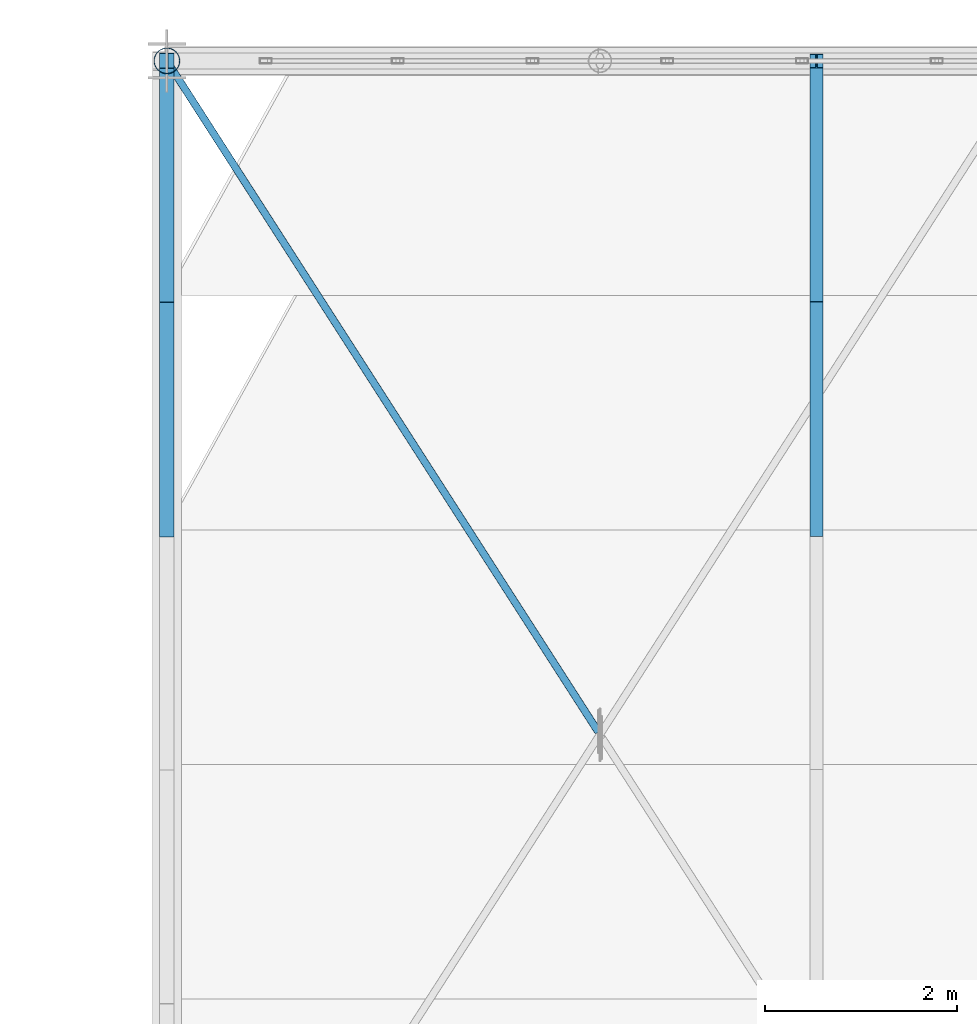
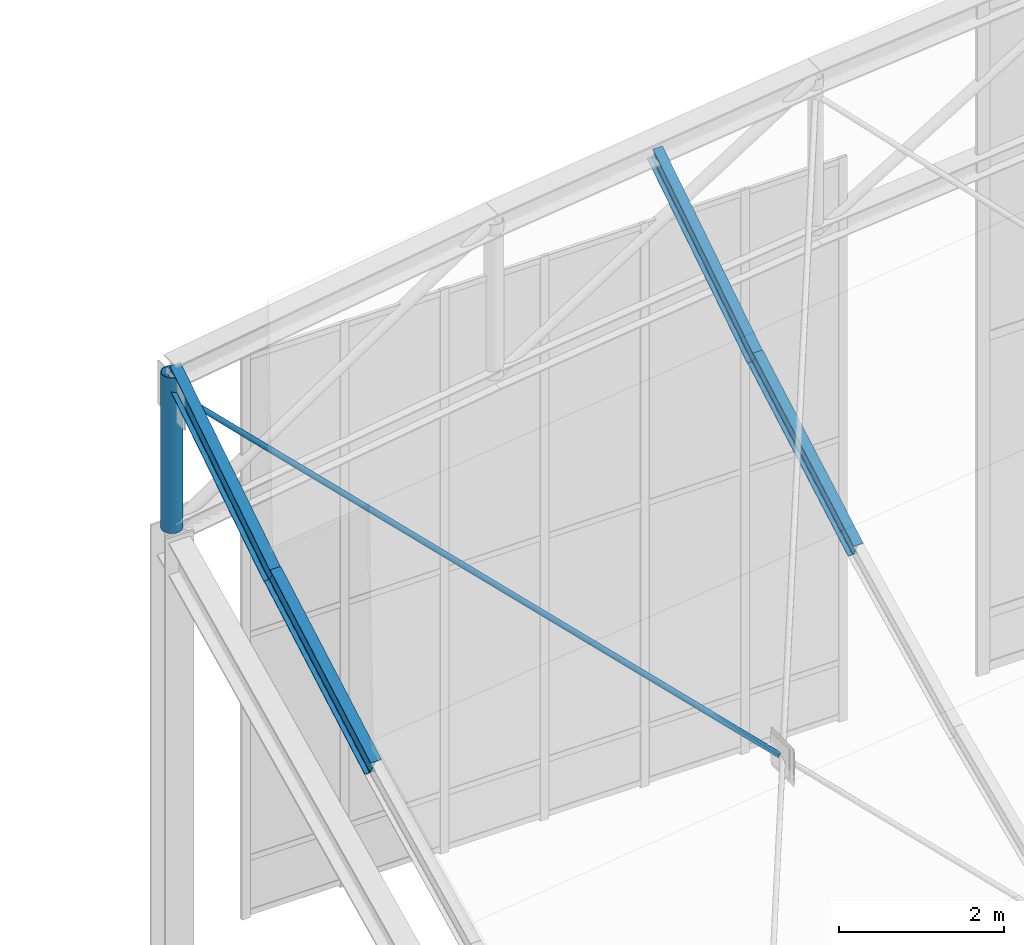
# One storey, part 203 of 262: 6 members.
"""IFC4 building model written with IfcOpenShell, lengths in metres."""

from ifc_helpers import new_model, si_unit, derived_unit, direction, frame, origin, origin_2d, place, context, subcontext, project, spatial, hollow_circle, i_section, extrude, material, material_profile, profile_set, type_object, element, save


model = new_model("IFC4")

# Units and contexts
model_context = context("Model", 3, precision=1e-05, world=origin(), true_north=direction((0.0, 1.0)))
body_context = subcontext(model_context, "Body", "Model", "MODEL_VIEW")
ifc_project = project(units=[si_unit("LENGTHUNIT", "METRE"), si_unit("AREAUNIT", "SQUARE_METRE"), si_unit("VOLUMEUNIT", "CUBIC_METRE"), si_unit("PLANEANGLEUNIT", "RADIAN"), si_unit("MASSUNIT", "GRAM", prefix="KILO"), derived_unit("THERMALTRANSMITTANCEUNIT", [(si_unit("POWERUNIT", "WATT"), 1), (si_unit("LENGTHUNIT", "METRE"), -2), (si_unit("THERMODYNAMICTEMPERATUREUNIT", "KELVIN"), -1)])], contexts=[model_context])

# Site, building, storey
site_placement = place(None, origin())
site = spatial("IfcSite", under=ifc_project, at=site_placement, CompositionType="ELEMENT")
building_placement = place(site_placement, origin())
building = spatial("IfcBuilding", under=site, at=building_placement, Name="Almenara Railside Exhibition Hall", CompositionType="ELEMENT")
storey_placement = place(building_placement, frame((0.0, 0.0, 21.699951171875)))
storey = spatial("IfcBuildingStorey", under=building, at=storey_placement, Name="RF", CompositionType="ELEMENT", Elevation=21.699951171875)

# Members
ifc_material = material(Name="Structural steel S355JR", Category="steel")
ifc_material_profile_1 = material_profile(ifc_material, i_section(OverallWidth=0.14990234375, OverallDepth=0.300048828125, WebThickness=0.007080078125, FlangeThickness=0.0107421875, FilletRadius=0.014892578125, at=origin_2d()), Name="IPE 300")
ifc_profile_set_1 = profile_set([ifc_material_profile_1], Name="Structural steel S355JR")
member_type_1 = type_object("IfcMemberType", Name="East Hall Ridge Purlin IPE 300 S355JR", PredefinedType="PURLIN", material=ifc_profile_set_1)
member_1_placement = place(storey_placement, frame((138.0, 127.126708984375, -1.190673828125), z_axis=(0.0, 0.870483227181, 0.492198081261), x_axis=(-1.0, 0.0, 0.0)))
element("IfcMember", 1, at=member_1_placement, inside=storey, type_object=member_type_1, Name="MEM-PR-V2-PR-IPE300-00-26", PredefinedType="PURLIN", context=body_context, shape_type="SweptSolid", body=[
    extrude(i_section(OverallWidth=0.14990234375, OverallDepth=0.300048828125, WebThickness=0.007080078125, FlangeThickness=0.0107421875, FilletRadius=0.014892578125, at=origin_2d()), origin(), (0.0, 0.0, 1.0), 2.799072265625),
])
member_2_placement = place(storey_placement, frame((138.0, 129.563232421875, 0.17431640625), z_axis=(0.0, 0.842265270347, 0.53906327492), x_axis=(-1.0, 0.0, 0.0)))
element("IfcMember", 2, at=member_2_placement, inside=storey, type_object=member_type_1, Name="MEM-PR-V2-PR-IPE300-00-27", PredefinedType="PURLIN", context=body_context, shape_type="SweptSolid", body=[
    extrude(i_section(OverallWidth=0.14990234375, OverallDepth=0.300048828125, WebThickness=0.007080078125, FlangeThickness=0.0107421875, FilletRadius=0.014892578125, at=origin_2d()), origin(), (0.0, 0.0, 1.0), 2.89306640625),
])
ifc_material_profile_2 = material_profile(ifc_material, i_section(OverallWidth=0.135009765625, OverallDepth=0.27001953125, WebThickness=0.006591796875, FlangeThickness=0.01025390625, FilletRadius=0.014892578125, at=origin_2d()), Name="IPE 270")
ifc_profile_set_2 = profile_set([ifc_material_profile_2], Name="Structural steel S355JR")
member_type_2 = type_object("IfcMemberType", Name="East Hall Standard Purlin IPE 270 S355JR", PredefinedType="PURLIN", material=ifc_profile_set_2)
member_3_placement = place(storey_placement, frame((144.75, 127.126708984375, -0.344482421875), z_axis=(0.0, 0.870483227181, 0.492198081261), x_axis=(-1.0, 0.0, 0.0)))
element("IfcMember", 3, at=member_3_placement, inside=storey, type_object=member_type_2, Name="MEM-PR-V2-PR-IPE270-01-26", PredefinedType="PURLIN", context=body_context, shape_type="SweptSolid", body=[
    extrude(i_section(OverallWidth=0.135009765625, OverallDepth=0.27001953125, WebThickness=0.006591796875, FlangeThickness=0.01025390625, FilletRadius=0.014892578125, at=origin_2d()), origin(), (0.0, 0.0, 1.0), 2.799072265625),
])
member_4_placement = place(storey_placement, frame((144.75, 129.563232421875, 1.02099609375), z_axis=(0.0, 0.842265270347, 0.53906327492), x_axis=(-1.0, 0.0, 0.0)))
element("IfcMember", 4, at=member_4_placement, inside=storey, type_object=member_type_2, Name="MEM-PR-V2-PR-IPE270-01-27", PredefinedType="PURLIN", context=body_context, shape_type="SweptSolid", body=[
    extrude(i_section(OverallWidth=0.135009765625, OverallDepth=0.27001953125, WebThickness=0.006591796875, FlangeThickness=0.01025390625, FilletRadius=0.014892578125, at=origin_2d()), origin(), (0.0, 0.0, 1.0), 2.89306640625),
])
ifc_material_profile_3 = material_profile(ifc_material, hollow_circle(Radius=0.0380859375, WallThickness=0.003662109375, at=origin_2d()), Name="CHS 76.1x3.6")
ifc_profile_set_3 = profile_set([ifc_material_profile_3], Name="Structural steel S355JR")
member_type_3 = type_object("IfcMemberType", Name="Lantern Cross-Tie Brace CHS 76.1x3.6 S355JR", PredefinedType="BRACE", material=ifc_profile_set_3)
member_5_placement = place(storey_placement, frame((142.478515625, 125.03369140625, -1.31396484375), z_axis=(-0.513511459909, 0.798764500493, 0.313498410353), x_axis=(-0.841168897058, -0.54077249063, 0.0)))
element("IfcMember", 5, at=member_5_placement, inside=storey, type_object=member_type_3, Name="MEM-WB-V2-WB-CHS76-06-00-S2", PredefinedType="BRACE", context=body_context, shape_type="SweptSolid", body=[
    extrude(hollow_circle(Radius=0.0380859375, WallThickness=0.003662109375, at=origin_2d()), origin(), (0.0, 0.0, 1.0), 8.721435546875),
])
ifc_material_profile_4 = material_profile(ifc_material, hollow_circle(Radius=0.136474609375, WallThickness=0.008056640625, at=origin_2d()), Name="CHS 273x8")
ifc_profile_set_4 = profile_set([ifc_material_profile_4], Name="Structural steel S355JR")
member_type_4 = type_object("IfcMemberType", Name="Truss Support Vertical Strut CHS 273x8 S355JR", PredefinedType="BRACE", material=ifc_profile_set_4)
member_6_placement = place(storey_placement, frame((138.0, 132.0, -0.599853515625), z_axis=(0.0, 0.0, 1.0), x_axis=(1.0, 0.0, 0.0)))
element("IfcMember", 6, at=member_6_placement, inside=storey, type_object=member_type_4, Name="MEM-TV-V2-07-00", PredefinedType="BRACE", context=body_context, shape_type="SweptSolid", body=[
    extrude(hollow_circle(Radius=0.136474609375, WallThickness=0.008056640625, at=origin_2d()), origin(), (0.0, 0.0, 1.0), 2.2998046875),
])

save(model, "model.ifc")
